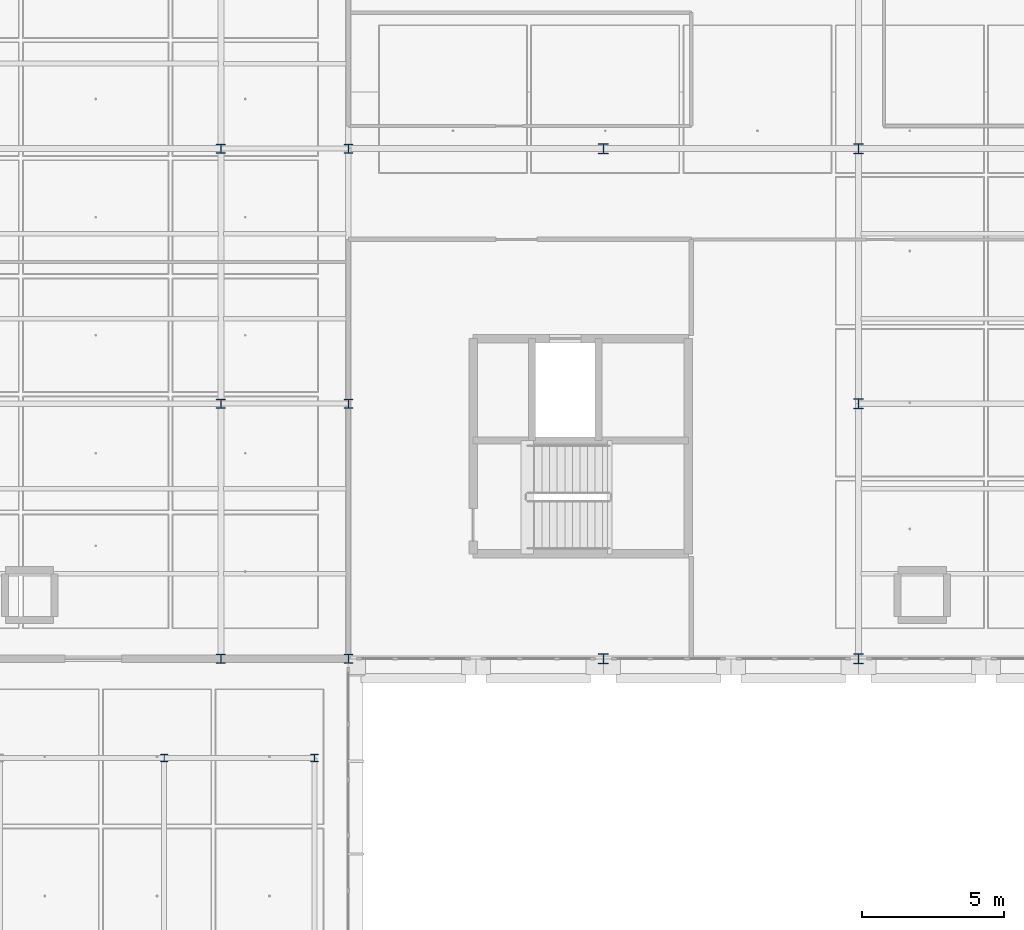
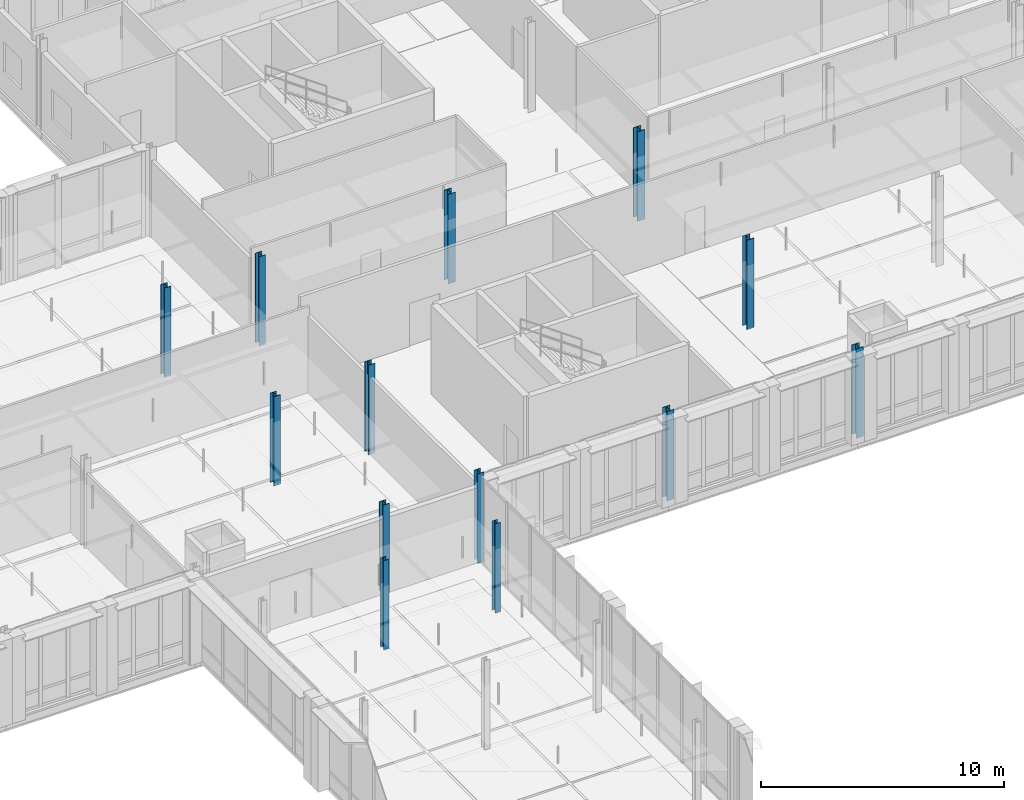
# One storey, part 14 of 140: 13 columns.
"""IFC4 building model written with IfcOpenShell, lengths in metres."""

from ifc_helpers import new_model, si_unit, direction, frame, origin, origin_2d, place, context, subcontext, project, spatial, i_section, extrude, material, material_profile, profile_set, type_object, element, save


model = new_model("IFC4")

# Units and contexts
model_context = context("Model", 3, precision=1e-05, world=origin(), true_north=direction((0.0, 1.0)))
body_context = subcontext(model_context, "Body", "Model", "MODEL_VIEW")
ifc_project = project(units=[si_unit("LENGTHUNIT", "METRE"), si_unit("AREAUNIT", "SQUARE_METRE"), si_unit("VOLUMEUNIT", "CUBIC_METRE"), si_unit("PLANEANGLEUNIT", "RADIAN"), si_unit("MASSUNIT", "GRAM", prefix="KILO"), si_unit("THERMODYNAMICTEMPERATUREUNIT", "KELVIN"), si_unit("POWERUNIT", "WATT")], contexts=[model_context])

# Site, building, storey
site_placement = place(None, origin())
site = spatial("IfcSite", under=ifc_project, at=site_placement, CompositionType="ELEMENT")
building_placement = place(site_placement, origin())
building = spatial("IfcBuilding", under=site, at=building_placement, Name="Tallowbark Science Centre", CompositionType="ELEMENT")
storey_placement = place(building_placement, frame((0.0, 0.0, 9.89990234375)))
storey = spatial("IfcBuildingStorey", under=building, at=storey_placement, Name="L02", CompositionType="ELEMENT", Elevation=9.89990234375)

# Columns
ifc_material = material(Name="Structural Steel Grade 300PLUS (300 MPa)", Category="steel")
ifc_material_profile_1 = material_profile(ifc_material, i_section(OverallWidth=0.256103515625, OverallDepth=0.260009765625, WebThickness=0.010498046875, FlangeThickness=0.017333984375, FilletRadius=0.013916015625, at=origin_2d()), Name="250UC89.5")
ifc_profile_set_1 = profile_set([ifc_material_profile_1], Name="Structural Steel Grade 300PLUS (300 MPa)")
column_type_1 = type_object("IfcColumnType", Name="COL-UC250A", PredefinedType="COLUMN", material=ifc_profile_set_1)
for number, where, z_axis, x_axis, name in (
    (1, (106.0, 68.5, 0.0), (0.0, 0.0, 1.0), (1.0, 0.0, 0.0), "Column LNK-1_3 L02"),
    (2, (111.300048828125, 68.5, 0.0), (0.0, 0.0, 1.0), (1.0, 0.0, 0.0), "Column LNK-2_3 L02"),
):
    element("IfcColumn", number, at=place(storey_placement, frame(where, z_axis=z_axis, x_axis=x_axis)), inside=storey, type_object=column_type_1, Name=name, PredefinedType="COLUMN", context=body_context, shape_type="SweptSolid", body=[
        extrude(i_section(OverallWidth=0.256103515625, OverallDepth=0.260009765625, WebThickness=0.010498046875, FlangeThickness=0.017333984375, FilletRadius=0.013916015625, at=origin_2d()), origin(), (0.0, 0.0, 1.0), 4.5),
    ])
ifc_material_profile_2 = material_profile(ifc_material, i_section(OverallWidth=0.30908203125, OverallDepth=0.320556640625, WebThickness=0.013916015625, FlangeThickness=0.021728515625, FilletRadius=0.0166015625, at=origin_2d()), Name="310UC137")
ifc_profile_set_2 = profile_set([ifc_material_profile_2], Name="Structural Steel Grade 300PLUS (300 MPa)")
column_type_2 = type_object("IfcColumnType", Name="COL-UC310B", PredefinedType="COLUMN", material=ifc_profile_set_2)
for number, where, z_axis, x_axis, name in (
    (3, (108.0, 72.0, 0.0), (0.0, 0.0, 1.0), (1.0, 0.0, 0.0), "Column LAB-7_0 L02"),
    (4, (108.0, 81.0, 0.0), (0.0, 0.0, 1.0), (1.0, 0.0, 0.0), "Column LAB-7_1 L02"),
    (5, (108.0, 90.0, 0.0), (0.0, 0.0, 1.0), (1.0, 0.0, 0.0), "Column LAB-7_2 L02"),
    (6, (112.5, 72.0, 0.0), (0.0, 0.0, 1.0), (1.0, 0.0, 0.0), "Column LAB-8_0 L02"),
    (7, (112.5, 81.0, 0.0), (0.0, 0.0, 1.0), (1.0, 0.0, 0.0), "Column LAB-8_1 L02"),
    (8, (112.5, 90.0, 0.0), (0.0, 0.0, 1.0), (1.0, 0.0, 0.0), "Column LAB-8_2 L02"),
):
    element("IfcColumn", number, at=place(storey_placement, frame(where, z_axis=z_axis, x_axis=x_axis)), inside=storey, type_object=column_type_2, Name=name, PredefinedType="COLUMN", context=body_context, shape_type="SweptSolid", body=[
        extrude(i_section(OverallWidth=0.30908203125, OverallDepth=0.320556640625, WebThickness=0.013916015625, FlangeThickness=0.021728515625, FilletRadius=0.0166015625, at=origin_2d()), origin(), (0.0, 0.0, 1.0), 4.5),
    ])
ifc_material_profile_3 = material_profile(ifc_material, i_section(OverallWidth=0.35009765625, OverallDepth=0.35888671875, WebThickness=0.01611328125, FlangeThickness=0.02392578125, FilletRadius=0.013916015625, at=origin_2d()), Name="350WC197")
ifc_profile_set_3 = profile_set([ifc_material_profile_3], Name="Structural Steel Grade 300PLUS (300 MPa)")
column_type_3 = type_object("IfcColumnType", Name="COL-WC350", PredefinedType="COLUMN", material=ifc_profile_set_3)
for number, where, z_axis, x_axis, name in (
    (9, (121.5, 72.0, 0.0), (0.0, 0.0, 1.0), (1.0, 0.0, 0.0), "Column OBS-1_0 L02"),
    (10, (121.5, 90.0, 0.0), (0.0, 0.0, 1.0), (1.0, 0.0, 0.0), "Column OBS-1_2 L02"),
    (11, (130.5, 72.0, 0.0), (0.0, 0.0, 1.0), (1.0, 0.0, 0.0), "Column OBS-2_0 L02"),
    (12, (130.5, 81.0, 0.0), (0.0, 0.0, 1.0), (1.0, 0.0, 0.0), "Column OBS-2_1 L02"),
    (13, (130.5, 90.0, 0.0), (0.0, 0.0, 1.0), (1.0, 0.0, 0.0), "Column OBS-2_2 L02"),
):
    element("IfcColumn", number, at=place(storey_placement, frame(where, z_axis=z_axis, x_axis=x_axis)), inside=storey, type_object=column_type_3, Name=name, PredefinedType="COLUMN", context=body_context, shape_type="SweptSolid", body=[
        extrude(i_section(OverallWidth=0.35009765625, OverallDepth=0.35888671875, WebThickness=0.01611328125, FlangeThickness=0.02392578125, FilletRadius=0.013916015625, at=origin_2d()), origin(), (0.0, 0.0, 1.0), 4.5),
    ])

save(model, "model.ifc")
